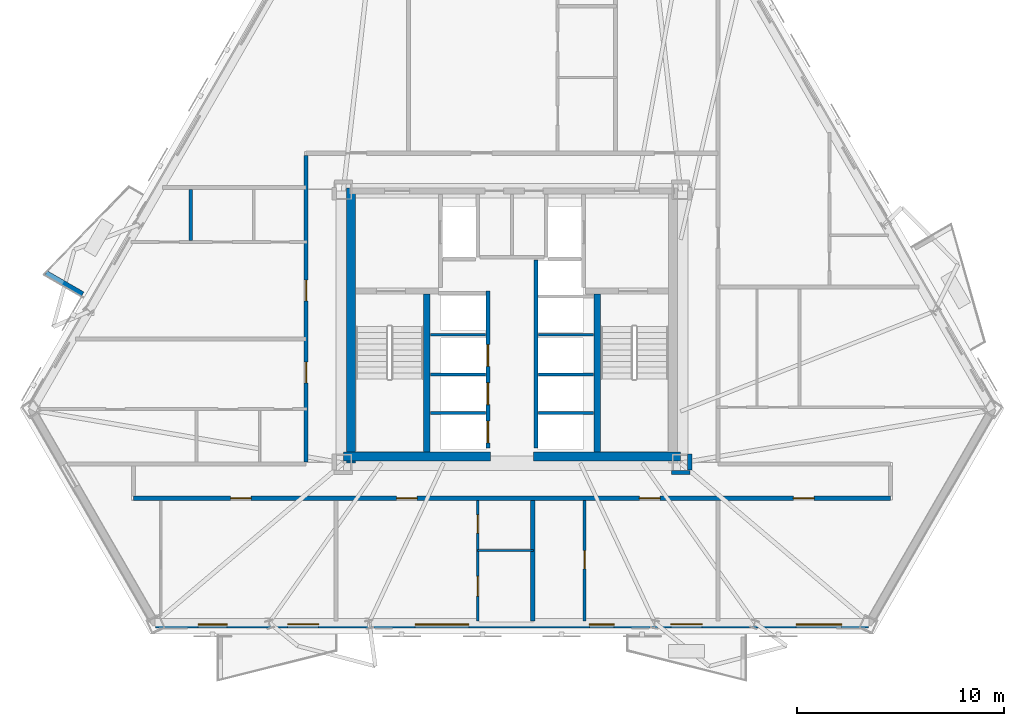
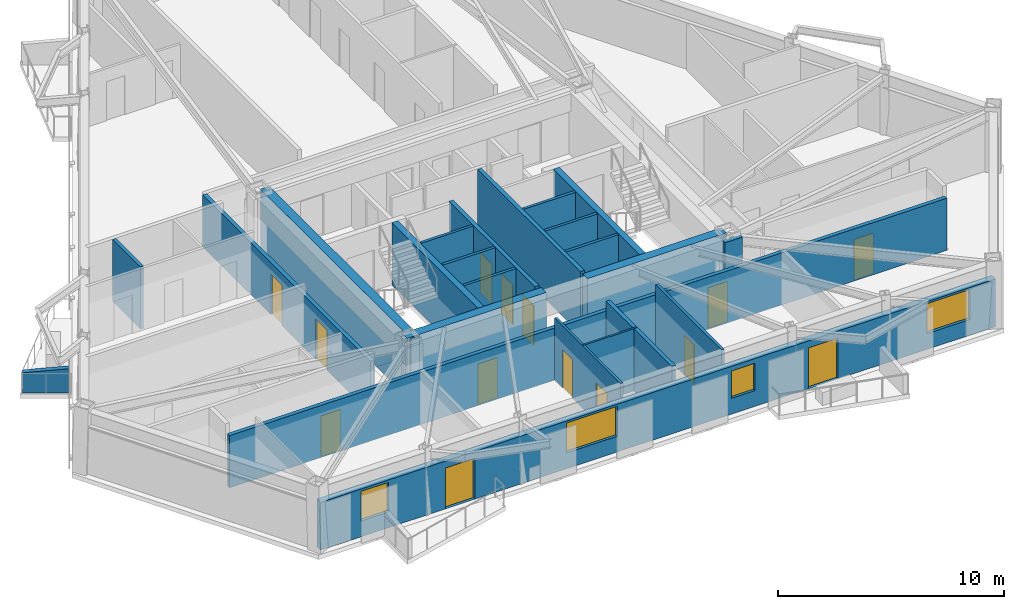
# One storey, part 3 of 10: 24 walls, 14 doors, 4 windows, 18 openings.
"""IFC4 building model written with IfcOpenShell, lengths in metres."""

import ifcopenshell
import ifcopenshell.guid

model = None  # the IFC model being written
_history = None  # IfcOwnerHistory: only IFC2X3 demands one
_inside = {}  # id of a spatial element -> (the spatial element, [elements in it])
_under = {}  # id of a project, library or spatial element -> (it, [spatial elements below it])
_declared = {}  # id of a project -> (the project, [libraries it declares])
_typed = {}  # id of a type object -> (the type object, [elements of that type])
_made_of = {}  # id of a material, layer set ... -> (it, [elements and type objects made of it])


def new_model(schema):
    """Start an empty IFC model of exactly this schema.

    Asked for "IFC4X3", IfcOpenShell would pick the latest addendum, in which some entities
    have other attributes; the version numbers below select the first issue.
    IFC2X3 requires an IfcOwnerHistory on every rooted entity: one is made here for all.
    """
    global model, _history
    if schema == "IFC4X3":
        model = ifcopenshell.file(schema_version=(4, 3, 0, 0))
    else:
        model = ifcopenshell.file(schema=schema)
    _inside.clear()
    _under.clear()
    _declared.clear()
    _typed.clear()
    _made_of.clear()
    _history = None
    if model.schema == "IFC2X3":
        org = make("IfcOrganization", Name="unknown")
        user = make(
            "IfcPersonAndOrganization",
            ThePerson=make("IfcPerson", FamilyName="unknown"),
            TheOrganization=org,
        )
        app = make(
            "IfcApplication",
            ApplicationDeveloper=org,
            Version="unknown",
            ApplicationFullName="unknown",
            ApplicationIdentifier="unknown",
        )
        _history = make(
            "IfcOwnerHistory",
            OwningUser=user,
            OwningApplication=app,
            ChangeAction="ADDED",
            CreationDate=0,
        )
    return model


def make(cls, **values):
    """One entity of the class cls with the attributes given. An attribute that is None is left unset."""
    return model.create_entity(
        cls, **{name: value for name, value in values.items() if value is not None}
    )


def rooted(cls, **values):
    """An entity with a GlobalId (a new one), such as an element, a storey or a relation."""
    return make(cls, GlobalId=ifcopenshell.guid.new(), OwnerHistory=_history, **values)


def si_unit(unit_type, name, prefix=None):
    """IfcSIUnit, for example si_unit("LENGTHUNIT", "METRE", prefix="MILLI")."""
    return make("IfcSIUnit", UnitType=unit_type, Prefix=prefix, Name=name)


def assignment(units):
    """IfcUnitAssignment: the units of a project."""
    return None if units is None else make("IfcUnitAssignment", Units=units)


def point(xyz):
    """IfcCartesianPoint."""
    return None if xyz is None else make("IfcCartesianPoint", Coordinates=xyz)


def direction(xyz):
    """IfcDirection."""
    return None if xyz is None else make("IfcDirection", DirectionRatios=xyz)


def frame(location, z_axis=None, x_axis=None):
    """IfcAxis2Placement3D, a coordinate frame: its origin and axes. An axis left out is left unset."""
    return make(
        "IfcAxis2Placement3D",
        Location=point(location),
        Axis=direction(z_axis),
        RefDirection=direction(x_axis),
    )


def frame_2d(location, x_axis=None):
    """IfcAxis2Placement2D, a coordinate frame in the plane: its origin and x axis."""
    return make(
        "IfcAxis2Placement2D", Location=point(location), RefDirection=direction(x_axis)
    )


def origin():
    """The frame at (0, 0, 0) with its axes left unset."""
    return frame((0.0, 0.0, 0.0))


def place(relative_to, where):
    """IfcLocalPlacement: puts the frame where relative to a parent placement (None: the world)."""
    return make(
        "IfcLocalPlacement", PlacementRelTo=relative_to, RelativePlacement=where
    )


def context(
    kind, dimensions, precision=None, world=None, true_north=None, identifier=None
):
    """IfcGeometricRepresentationContext, for example the 3D "Model" context."""
    return make(
        "IfcGeometricRepresentationContext",
        ContextIdentifier=identifier,
        ContextType=kind,
        CoordinateSpaceDimension=dimensions,
        Precision=precision,
        WorldCoordinateSystem=world,
        TrueNorth=true_north,
    )


def subcontext(parent, identifier, kind, view, scale=None):
    """IfcGeometricRepresentationSubContext, for example "Body" below "Model"."""
    return make(
        "IfcGeometricRepresentationSubContext",
        ContextIdentifier=identifier,
        ContextType=kind,
        ParentContext=parent,
        TargetScale=scale,
        TargetView=view,
    )


def project(units=None, contexts=None):
    """IfcProject with its units and contexts."""
    return rooted(
        "IfcProject",
        Name="project",
        RepresentationContexts=contexts,
        UnitsInContext=assignment(units),
    )


def spatial(cls, under=None, at=None, **own):
    """A site, building, storey or space (cls), placed at a placement, below another one or the project."""
    s = rooted(cls, ObjectPlacement=at, **own)
    if under is not None:
        _under.setdefault(under.id(), (under, []))[1].append(s)
    return s


def polyline(points):
    """IfcPolyline through the points."""
    return make("IfcPolyline", Points=[point(p) for p in points])


def profile(cls, at=None, kind="AREA", **sizes):
    """A parametric profile (cls). Its sizes go by their IFC names, for example OverallWidth=200.0."""
    return make(cls, ProfileType=kind, Position=at, **sizes)


def rectangle(**sizes):
    """IfcRectangleProfileDef."""
    return profile("IfcRectangleProfileDef", **sizes)


def outline(outer, holes=None, kind="AREA"):
    """IfcArbitraryClosedProfileDef: a profile drawn as a closed curve; with holes, ...WithVoids."""
    if holes is None:
        return make("IfcArbitraryClosedProfileDef", ProfileType=kind, OuterCurve=outer)
    return make(
        "IfcArbitraryProfileDefWithVoids",
        ProfileType=kind,
        OuterCurve=outer,
        InnerCurves=holes,
    )


def extrude(swept, where, along, depth):
    """IfcExtrudedAreaSolid: the profile swept, set in the frame where, extruded along a direction by depth."""
    return make(
        "IfcExtrudedAreaSolid",
        SweptArea=swept,
        Position=where,
        ExtrudedDirection=direction(along),
        Depth=depth,
    )


def shape(context_of_items, identifier, shape_type, items):
    """IfcShapeRepresentation: the items that make up one representation, for example the "Body"."""
    return make(
        "IfcShapeRepresentation",
        ContextOfItems=context_of_items,
        RepresentationIdentifier=identifier,
        RepresentationType=shape_type,
        Items=items,
    )


def material(Name=None, Category=None):
    """IfcMaterial."""
    return make("IfcMaterial", Name=Name, Category=Category)


def layer(
    of_material, thickness, ventilated=None, Name=None, Category=None, Priority=None
):
    """IfcMaterialLayer: one layer of a wall or slab, of a material (None: an air gap)."""
    return make(
        "IfcMaterialLayer",
        Material=of_material,
        LayerThickness=thickness,
        IsVentilated=ventilated,
        Name=Name,
        Category=Category,
        Priority=Priority,
    )


def layer_set(layers, Name=None):
    """IfcMaterialLayerSet."""
    return make("IfcMaterialLayerSet", MaterialLayers=layers, LayerSetName=Name)


def made_of(thing, what):
    """Note that an element or type object is made of a material, layer set ...; save() writes the relation."""
    if what is not None:
        _made_of.setdefault(what.id(), (what, []))[1].append(thing)
    return thing


def type_object(cls, material=None, **own):
    """A type object (cls), such as IfcWallType, which elements share."""
    return made_of(rooted(cls, **own), material)


def element(
    cls,
    number,
    at=None,
    inside=None,
    cuts=None,
    type_object=None,
    material=None,
    context=None,
    identifier="Body",
    shape_type=None,
    held_by="IfcProductDefinitionShape",
    body=None,
    shapes=None,
    **own,
):
    """One element of the class cls, such as IfcWall. Its Tag is "e" and its number.

    at: its placement. inside: the storey or other place that contains it. cuts: it is an
    opening in that element (IfcRelVoidsElement). A single representation is given by context,
    identifier, shape_type and body (its items); several are given by shapes. held_by: the class
    of the entity that holds the representations. save() writes the other relations.
    """
    e = rooted(cls, Tag="e%d" % number, ObjectPlacement=at, **own)
    if body is not None:
        shapes = [shape(context, identifier, shape_type, body)]
    if shapes is not None:
        e.Representation = make(held_by, Representations=shapes)
    if inside is not None:
        _inside.setdefault(inside.id(), (inside, []))[1].append(e)
    if cuts is not None:
        rooted(
            "IfcRelVoidsElement", RelatingBuildingElement=cuts, RelatedOpeningElement=e
        )
    if type_object is not None:
        _typed.setdefault(type_object.id(), (type_object, []))[1].append(e)
    return made_of(e, material)


def fill(opening, filler):
    """IfcRelFillsElement: the door or window that sits in an opening."""
    return rooted(
        "IfcRelFillsElement",
        RelatingOpeningElement=opening,
        RelatedBuildingElement=filler,
    )


def aggregate(whole, parts):
    """IfcRelAggregates: a whole, such as a stair, and the parts it consists of."""
    return rooted("IfcRelAggregates", RelatingObject=whole, RelatedObjects=parts)


def save(model, path):
    """Write the relations noted so far, then the file.

    IfcRelAggregates (storeys below a building ...), IfcRelContainedInSpatialStructure (elements
    in a storey), IfcRelDefinesByType, IfcRelAssociatesMaterial and IfcRelDeclares: one each for
    every whole, place, type object, material and project.
    """
    for whole, parts in _under.values():
        aggregate(whole, parts)
    for where, things in _inside.values():
        rooted(
            "IfcRelContainedInSpatialStructure",
            RelatedElements=things,
            RelatingStructure=where,
        )
    for kind, things in _typed.values():
        rooted("IfcRelDefinesByType", RelatedObjects=things, RelatingType=kind)
    for what, things in _made_of.values():
        rooted("IfcRelAssociatesMaterial", RelatedObjects=things, RelatingMaterial=what)
    for by, libraries in _declared.values():
        rooted("IfcRelDeclares", RelatingContext=by, RelatedDefinitions=libraries)
    model.write(path)


model = new_model("IFC4")

# Units and contexts
model_context = context("Model", 3, precision=1e-05, world=origin(), true_north=direction((0.0, 1.0)))
body_context = subcontext(model_context, "Body", "Model", "MODEL_VIEW")
ifc_project = project(units=[si_unit("LENGTHUNIT", "METRE"), si_unit("AREAUNIT", "SQUARE_METRE"), si_unit("VOLUMEUNIT", "CUBIC_METRE"), si_unit("PLANEANGLEUNIT", "RADIAN"), si_unit("MASSUNIT", "GRAM", prefix="KILO")], contexts=[model_context])

# Site, building, storey
site_placement = place(None, origin())
site = spatial("IfcSite", under=ifc_project, at=site_placement, CompositionType="ELEMENT")
building_placement = place(site_placement, origin())
building = spatial("IfcBuilding", under=site, at=building_placement, Name="Oramaril Tower", CompositionType="ELEMENT")
storey_placement = place(building_placement, frame((0.0, 0.0, 96.89990234375)))
storey = spatial("IfcBuildingStorey", under=building, at=storey_placement, Name="L25", CompositionType="ELEMENT", Elevation=96.89990234375)

# Wall, openings, doors, windows
ifc_material_1 = material(Name="Warm Cream Limestone", Category="masonry")
ifc_layer_1 = layer(ifc_material_1, 0.340087890625)
ifc_layer_set_1 = layer_set([ifc_layer_1], Name="WT-EXT34")
wall_type_1 = type_object("IfcWallType", Name="WT-EXT34", PredefinedType="SOLIDWALL", material=ifc_layer_set_1)
wall_1_placement = place(storey_placement, frame((20.281494140625, 3.198486328125, 0.0), z_axis=(0.0, 0.0, 1.0), x_axis=(1.0, 0.0, 0.0)))
wall_1 = element("IfcWall", 1, at=wall_1_placement, inside=storey, type_object=wall_type_1, Name="L25 Tower Limestone Facade Wall 2M", PredefinedType="SOLIDWALL", context=body_context, shape_type="SweptSolid", body=[
    extrude(rectangle(XDim=34.43701171875, YDim=0.340087890625, at=frame_2d((17.218505859375, 0.0))), origin(), (0.0, 0.0, 1.0), 2.578125),
])
opening_1_placement = place(wall_1_placement, frame((6.369384765625, 0.0, 0.0)))
opening_1 = element("IfcOpeningElement", 2, at=opening_1_placement, cuts=wall_1, Name="Opening D-L25-BAL-S1", PredefinedType="OPENING", context=body_context, shape_type="SweptSolid", body=[
    extrude(rectangle(XDim=1.5, YDim=2.199951171875, at=frame_2d((0.75, 1.10009765625))), frame((0.0, 0.169921875, 0.0), z_axis=(0.0, -1.0, 0.0), x_axis=(1.0, 0.0, 0.0)), (0.0, 0.0, 1.0), 0.340087890625),
])
opening_2_placement = place(wall_1_placement, frame((24.902587890625, 0.0, 0.0)))
opening_2 = element("IfcOpeningElement", 3, at=opening_2_placement, cuts=wall_1, Name="Opening D-L25-BAL-S2", PredefinedType="OPENING", context=body_context, shape_type="SweptSolid", body=[
    extrude(rectangle(XDim=1.5, YDim=2.199951171875, at=frame_2d((0.75, 1.10009765625))), frame((0.0, 0.169921875, 0.0), z_axis=(0.0, -1.0, 0.0), x_axis=(1.0, 0.0, 0.0)), (0.0, 0.0, 1.0), 0.340087890625),
])
opening_3_placement = place(wall_1_placement, frame((2.05517578125, 0.0, 0.85009765625)))
opening_3 = element("IfcOpeningElement", 4, at=opening_3_placement, cuts=wall_1, Name="Opening WN-08", PredefinedType="OPENING", context=body_context, shape_type="SweptSolid", body=[
    extrude(rectangle(XDim=1.39990234375, YDim=1.60009765625, at=frame_2d((0.699951171875, 0.800048828125))), frame((0.0, 0.169921875, 0.0), z_axis=(0.0, -1.0, 0.0), x_axis=(1.0, 0.0, 0.0)), (0.0, 0.0, 1.0), 0.340087890625),
])
opening_4_placement = place(wall_1_placement, frame((12.53564453125, 0.0, 0.85009765625)))
opening_4 = element("IfcOpeningElement", 5, at=opening_4_placement, cuts=wall_1, Name="Opening WN-02", PredefinedType="OPENING", context=body_context, shape_type="SweptSolid", body=[
    extrude(rectangle(XDim=2.60009765625, YDim=1.617919921875, at=frame_2d((1.300048828125, 0.80908203125))), frame((0.0, 0.169921875, 0.0), z_axis=(0.0, -1.0, 0.0), x_axis=(1.0, 0.0, 0.0)), (0.0, 0.0, 1.0), 0.340087890625),
])
opening_5_placement = place(wall_1_placement, frame((20.95947265625, 0.0, 0.85009765625)))
opening_5 = element("IfcOpeningElement", 6, at=opening_5_placement, cuts=wall_1, Name="Opening WN-09", PredefinedType="OPENING", context=body_context, shape_type="SweptSolid", body=[
    extrude(rectangle(XDim=1.199951171875, YDim=1.47998046875, at=frame_2d((0.60009765625, 0.739990234375))), frame((0.0, 0.169921875, 0.0), z_axis=(0.0, -1.0, 0.0), x_axis=(1.0, 0.0, 0.0)), (0.0, 0.0, 1.0), 0.340087890625),
])
opening_6_placement = place(wall_1_placement, frame((30.9443359375, 0.0, 0.85009765625)))
opening_6 = element("IfcOpeningElement", 7, at=opening_6_placement, cuts=wall_1, Name="Opening WN-04", PredefinedType="OPENING", context=body_context, shape_type="SweptSolid", body=[
    extrude(rectangle(XDim=2.199951171875, YDim=1.617919921875, at=frame_2d((1.10009765625, 0.80908203125))), frame((0.0, 0.169921875, 0.0), z_axis=(0.0, -1.0, 0.0), x_axis=(1.0, 0.0, 0.0)), (0.0, 0.0, 1.0), 0.340087890625),
])
ifc_material_2 = material(Name="Anodised Aluminium 6063-T6", Category="aluminium")
door_type_1 = type_object("IfcDoorType", Name="DT-BAL", OperationType="NOTDEFINED", PredefinedType="DOOR", material=ifc_material_2)
door_1_placement = place(opening_1_placement, origin())
door_1 = element("IfcDoor", 8, at=door_1_placement, inside=storey, type_object=door_type_1, Name="L25 Balcony Glazed Door L25-BAL-S1", OperationType="SINGLE_SWING_RIGHT", OverallHeight=2.199951171875, OverallWidth=1.5, PredefinedType="DOOR", context=body_context, shape_type="SweptSolid", body=[
    extrude(rectangle(XDim=1.5, YDim=2.199951171875, at=frame_2d((0.75, 1.10009765625))), frame((0.0, 0.02490234375, 0.0), z_axis=(0.0, -1.0, 0.0), x_axis=(1.0, 0.0, 0.0)), (0.0, 0.0, 1.0), 0.050048828125),
])
fill(opening_1, door_1)
door_2_placement = place(opening_2_placement, origin())
door_2 = element("IfcDoor", 9, at=door_2_placement, inside=storey, type_object=door_type_1, Name="L25 Balcony Glazed Door L25-BAL-S2", OperationType="SINGLE_SWING_LEFT", OverallHeight=2.199951171875, OverallWidth=1.5, PredefinedType="DOOR", context=body_context, shape_type="SweptSolid", body=[
    extrude(rectangle(XDim=1.5, YDim=2.199951171875, at=frame_2d((0.75, 1.10009765625))), frame((0.0, 0.02490234375, 0.0), z_axis=(0.0, -1.0, 0.0), x_axis=(1.0, 0.0, 0.0)), (0.0, 0.0, 1.0), 0.050048828125),
])
fill(opening_2, door_2)
ifc_material_3 = material(Name="Coastal Low-E Insulated Glass", Category="glass")
window_type_1 = type_object("IfcWindowType", Name="WNT-02", PartitioningType="SINGLE_PANEL", PredefinedType="WINDOW", material=ifc_material_3)
window_1_placement = place(opening_4_placement, origin())
window_1 = element("IfcWindow", 10, at=window_1_placement, inside=storey, type_object=window_type_1, Name="L25 Chicago Bay Window WN-02", OverallHeight=1.617919921875, OverallWidth=2.60009765625, PartitioningType="SINGLE_PANEL", PredefinedType="WINDOW", context=body_context, shape_type="SweptSolid", body=[
    extrude(rectangle(XDim=2.60009765625, YDim=1.617919921875, at=frame_2d((1.300048828125, 0.80908203125))), frame((0.0, 0.030029296875, 0.0), z_axis=(0.0, -1.0, 0.0), x_axis=(1.0, 0.0, 0.0)), (0.0, 0.0, 1.0), 0.06005859375),
])
fill(opening_4, window_1)
ifc_material_4 = material(Name="Coastal Low-E Insulated Glass", Category="glass")
window_type_2 = type_object("IfcWindowType", Name="WNT-04", PartitioningType="SINGLE_PANEL", PredefinedType="WINDOW", material=ifc_material_4)
window_2_placement = place(opening_6_placement, origin())
window_2 = element("IfcWindow", 11, at=window_2_placement, inside=storey, type_object=window_type_2, Name="L25 Chicago Bay Window WN-04", OverallHeight=1.617919921875, OverallWidth=2.199951171875, PartitioningType="SINGLE_PANEL", PredefinedType="WINDOW", context=body_context, shape_type="SweptSolid", body=[
    extrude(rectangle(XDim=2.199951171875, YDim=1.617919921875, at=frame_2d((1.10009765625, 0.80908203125))), frame((0.0, 0.030029296875, 0.0), z_axis=(0.0, -1.0, 0.0), x_axis=(1.0, 0.0, 0.0)), (0.0, 0.0, 1.0), 0.06005859375),
])
fill(opening_6, window_2)
ifc_material_5 = material(Name="Coastal Low-E Insulated Glass", Category="glass")
window_type_3 = type_object("IfcWindowType", Name="WNT-08", PartitioningType="SINGLE_PANEL", PredefinedType="WINDOW", material=ifc_material_5)
window_3_placement = place(opening_3_placement, origin())
window_3 = element("IfcWindow", 12, at=window_3_placement, inside=storey, type_object=window_type_3, Name="L25 Chicago Bay Window WN-08", OverallHeight=1.60009765625, OverallWidth=1.39990234375, PartitioningType="SINGLE_PANEL", PredefinedType="WINDOW", context=body_context, shape_type="SweptSolid", body=[
    extrude(rectangle(XDim=1.39990234375, YDim=1.60009765625, at=frame_2d((0.699951171875, 0.800048828125))), frame((0.0, 0.030029296875, 0.0), z_axis=(0.0, -1.0, 0.0), x_axis=(1.0, 0.0, 0.0)), (0.0, 0.0, 1.0), 0.06005859375),
])
fill(opening_3, window_3)
ifc_material_6 = material(Name="Coastal Low-E Insulated Glass", Category="glass")
window_type_4 = type_object("IfcWindowType", Name="WNT-09", PartitioningType="SINGLE_PANEL", PredefinedType="WINDOW", material=ifc_material_6)
window_4_placement = place(opening_5_placement, origin())
window_4 = element("IfcWindow", 13, at=window_4_placement, inside=storey, type_object=window_type_4, Name="L25 Chicago Bay Window WN-09", OverallHeight=1.47998046875, OverallWidth=1.199951171875, PartitioningType="SINGLE_PANEL", PredefinedType="WINDOW", context=body_context, shape_type="SweptSolid", body=[
    extrude(rectangle(XDim=1.199951171875, YDim=1.47998046875, at=frame_2d((0.60009765625, 0.739990234375))), frame((0.0, 0.030029296875, 0.0), z_axis=(0.0, -1.0, 0.0), x_axis=(1.0, 0.0, 0.0)), (0.0, 0.0, 1.0), 0.06005859375),
])
fill(opening_5, window_4)

# Walls
ifc_material_7 = material(Name="Concrete C40/50", Category="concrete")
ifc_layer_2 = layer(ifc_material_7, 0.22998046875)
ifc_layer_set_2 = layer_set([ifc_layer_2], Name="WT-PRP23")
wall_type_2 = type_object("IfcWallType", Name="WT-PRP23", PredefinedType="PARAPET", material=ifc_layer_set_2)
wall_2_placement = place(storey_placement, frame((16.755615234375, 19.16845703125, 0.0), z_axis=(0.0, 0.0, 1.0), x_axis=(-0.866012356593, 0.500022597718, 0.0)))
element("IfcWall", 14, at=wall_2_placement, inside=storey, type_object=wall_type_2, Name="L25 Trapezoidal Balcony Frame Cheek L25-BAL-NW2-R", PredefinedType="PARAPET", context=body_context, shape_type="SweptSolid", body=[
    extrude(outline(polyline([(0.0, 0.0), (2.0419921875, 0.0), (2.0419921875, 1.10009765625), (0.0, 1.320068359375), (0.0, 0.0)])), frame((0.0, 0.114990234375, 0.0), z_axis=(0.0, -1.0, 0.0), x_axis=(1.0, 0.0, 0.0)), (0.0, 0.0, 1.0), 0.22998046875),
])
ifc_material_8 = material(Name="Acoustic Gypsum Board Partition")
ifc_layer_3 = layer(ifc_material_8, 0.10009765625)
ifc_layer_set_3 = layer_set([ifc_layer_3], Name="WT-PT10")
wall_type_3 = type_object("IfcWallType", Name="WT-PT10", PredefinedType="PARTITIONING", material=ifc_layer_set_3)
wall_3_placement = place(storey_placement, frame((35.840087890625, 6.780029296875, 0.0), z_axis=(0.0, 0.0, 1.0), x_axis=(1.0, 0.0, 0.0)))
element("IfcWall", 15, at=wall_3_placement, inside=storey, type_object=wall_type_3, Name="L25 Interior Partition PT-10", PredefinedType="PARTITIONING", context=body_context, shape_type="SweptSolid", body=[
    extrude(rectangle(XDim=2.7099609375, YDim=0.10009765625, at=frame_2d((1.35498046875, 0.0))), origin(), (0.0, 0.0, 1.0), 3.360107421875),
])

# Wall, openings, doors
ifc_material_9 = material(Name="Acoustic Gypsum Board Partition")
ifc_layer_4 = layer(ifc_material_9, 0.1201171875)
ifc_layer_set_4 = layer_set([ifc_layer_4], Name="WT-PT12")
wall_type_4 = type_object("IfcWallType", Name="WT-PT12", PredefinedType="PARTITIONING", material=ifc_layer_set_4)
wall_4_placement = place(storey_placement, frame((35.840087890625, 3.37255859375, 0.0), z_axis=(0.0, 0.0, 1.0), x_axis=(0.0, 1.0, 0.0)))
wall_4 = element("IfcWall", 16, at=wall_4_placement, inside=storey, type_object=wall_type_4, Name="L25 Interior Partition PT-12", PredefinedType="PARTITIONING", context=body_context, shape_type="SweptSolid", body=[
    extrude(rectangle(XDim=5.823486328125, YDim=0.1201171875, at=frame_2d((2.91162109375, 0.0))), origin(), (0.0, 0.0, 1.0), 3.360107421875),
])
opening_7_placement = place(wall_4_placement, frame((1.20166015625, 0.0, 0.0)))
opening_7 = element("IfcOpeningElement", 17, at=opening_7_placement, cuts=wall_4, Name="Opening D-L25-23", PredefinedType="OPENING", context=body_context, shape_type="SweptSolid", body=[
    extrude(rectangle(XDim=0.949951171875, YDim=2.10009765625, at=frame_2d((0.47509765625, 1.050048828125))), frame((0.0, 0.06005859375, 0.0), z_axis=(0.0, -1.0, 0.0), x_axis=(1.0, 0.0, 0.0)), (0.0, 0.0, 1.0), 0.1201171875),
])
opening_8_placement = place(wall_4_placement, frame((4.242431640625, 0.0, 0.0)))
opening_8 = element("IfcOpeningElement", 18, at=opening_8_placement, cuts=wall_4, Name="Opening D-L25-24", PredefinedType="OPENING", context=body_context, shape_type="SweptSolid", body=[
    extrude(rectangle(XDim=0.8798828125, YDim=2.080078125, at=frame_2d((0.43994140625, 1.0400390625))), frame((0.0, 0.06005859375, 0.0), z_axis=(0.0, -1.0, 0.0), x_axis=(1.0, 0.0, 0.0)), (0.0, 0.0, 1.0), 0.1201171875),
])
ifc_material_10 = material(Name="FSC Brazilian Freijo Hardwood", Category="wood")
door_type_2 = type_object("IfcDoorType", Name="DT-BATH", OperationType="NOTDEFINED", PredefinedType="DOOR", material=ifc_material_10)
door_3_placement = place(opening_8_placement, origin())
door_3 = element("IfcDoor", 19, at=door_3_placement, inside=storey, type_object=door_type_2, Name="L25 Flat L25-U2 Bathroom Door D-L25-24", OperationType="SINGLE_SWING_RIGHT", OverallHeight=2.080078125, OverallWidth=0.8798828125, PredefinedType="DOOR", context=body_context, shape_type="SweptSolid", body=[
    extrude(rectangle(XDim=0.8798828125, YDim=2.080078125, at=frame_2d((0.43994140625, 1.0400390625))), frame((0.0, 0.02490234375, 0.0), z_axis=(0.0, -1.0, 0.0), x_axis=(1.0, 0.0, 0.0)), (0.0, 0.0, 1.0), 0.050048828125),
])
fill(opening_8, door_3)
ifc_material_11 = material(Name="FSC Brazilian Freijo Hardwood", Category="wood")
door_type_3 = type_object("IfcDoorType", Name="DT-STDY", OperationType="NOTDEFINED", PredefinedType="DOOR", material=ifc_material_11)
door_4_placement = place(opening_7_placement, origin())
door_4 = element("IfcDoor", 20, at=door_4_placement, inside=storey, type_object=door_type_3, Name="L25 Flat L25-U2 Kitchen Door D-L25-23", OperationType="SINGLE_SWING_LEFT", OverallHeight=2.10009765625, OverallWidth=0.949951171875, PredefinedType="DOOR", context=body_context, shape_type="SweptSolid", body=[
    extrude(rectangle(XDim=0.949951171875, YDim=2.10009765625, at=frame_2d((0.47509765625, 1.050048828125))), frame((0.0, 0.02490234375, 0.0), z_axis=(0.0, -1.0, 0.0), x_axis=(1.0, 0.0, 0.0)), (0.0, 0.0, 1.0), 0.050048828125),
])
fill(opening_7, door_4)

# Walls
ifc_material_12 = material(Name="Acoustic Gypsum Board Partition")
ifc_layer_5 = layer(ifc_material_12, 0.139892578125)
ifc_layer_set_5 = layer_set([ifc_layer_5], Name="WT-PT14")
wall_type_5 = type_object("IfcWallType", Name="WT-PT14", PredefinedType="PARTITIONING", material=ifc_layer_set_5)
for number, where, z_axis, x_axis, name in (
    (21, (33.56005859375, 13.419921875, 0.0), (0.0, 0.0, 1.0), (1.0, 0.0, 0.0), "L25 West Lift Divider"),
    (22, (33.56005859375, 15.27001953125, 0.0), (0.0, 0.0, 1.0), (1.0, 0.0, 0.0), "L25 West Lift Divider"),
    (23, (33.56005859375, 17.199951171875, 0.0), (0.0, 0.0, 1.0), (1.0, 0.0, 0.0), "L25 West Lift Divider"),
    (24, (38.780029296875, 13.419921875, 0.0), (0.0, 0.0, 1.0), (1.0, 0.0, 0.0), "L25 East Lift Divider"),
    (25, (38.780029296875, 15.27001953125, 0.0), (0.0, 0.0, 1.0), (1.0, 0.0, 0.0), "L25 East Lift Divider"),
    (26, (38.780029296875, 17.199951171875, 0.0), (0.0, 0.0, 1.0), (1.0, 0.0, 0.0), "L25 East Lift Divider"),
):
    element("IfcWall", number, at=place(storey_placement, frame(where, z_axis=z_axis, x_axis=x_axis)), inside=storey, type_object=wall_type_5, Name=name, PredefinedType="PARTITIONING", context=body_context, shape_type="SweptSolid", body=[
        extrude(rectangle(XDim=2.659912109375, YDim=0.139892578125, at=frame_2d((1.330078125, 0.0))), origin(), (0.0, 0.0, 1.0), 3.360107421875),
    ])

# Wall, opening, door
wall_5_placement = place(storey_placement, frame((41.010009765625, 3.37255859375, 0.0), z_axis=(0.0, 0.0, 1.0), x_axis=(0.0, 1.0, 0.0)))
wall_5 = element("IfcWall", 27, at=wall_5_placement, inside=storey, type_object=wall_type_5, Name="L25 Interior Partition PT-14", PredefinedType="PARTITIONING", context=body_context, shape_type="SweptSolid", body=[
    extrude(rectangle(XDim=5.823486328125, YDim=0.139892578125, at=frame_2d((2.91162109375, 0.0))), origin(), (0.0, 0.0, 1.0), 3.360107421875),
])
opening_9_placement = place(wall_5_placement, frame((2.51171875, 0.0, 0.0)))
opening_9 = element("IfcOpeningElement", 28, at=opening_9_placement, cuts=wall_5, Name="Opening D-L25-31", PredefinedType="OPENING", context=body_context, shape_type="SweptSolid", body=[
    extrude(rectangle(XDim=0.8798828125, YDim=2.080078125, at=frame_2d((0.43994140625, 1.0400390625))), frame((0.0, 0.06982421875, 0.0), z_axis=(0.0, -1.0, 0.0), x_axis=(1.0, 0.0, 0.0)), (0.0, 0.0, 1.0), 0.139892578125),
])
door_5_placement = place(opening_9_placement, origin())
door_5 = element("IfcDoor", 29, at=door_5_placement, inside=storey, type_object=door_type_2, Name="L25 Flat L25-U3 Bathroom Door D-L25-31", OperationType="SINGLE_SWING_LEFT", OverallHeight=2.080078125, OverallWidth=0.8798828125, PredefinedType="DOOR", context=body_context, shape_type="SweptSolid", body=[
    extrude(rectangle(XDim=0.8798828125, YDim=2.080078125, at=frame_2d((0.43994140625, 1.0400390625))), frame((0.0, 0.02490234375, 0.0), z_axis=(0.0, -1.0, 0.0), x_axis=(1.0, 0.0, 0.0)), (0.0, 0.0, 1.0), 0.050048828125),
])
fill(opening_9, door_5)

# Wall
ifc_material_13 = material(Name="Acoustic Gypsum Board Partition")
ifc_layer_6 = layer(ifc_material_13, 0.159912109375)
ifc_layer_set_6 = layer_set([ifc_layer_6], Name="WT-PT16")
wall_type_6 = type_object("IfcWallType", Name="WT-PT16", PredefinedType="PARTITIONING", material=ifc_layer_set_6)
wall_6_placement = place(storey_placement, frame((21.97998046875, 21.75390625, 0.0), z_axis=(0.0, 0.0, 1.0), x_axis=(0.0, 1.0, 0.0)))
element("IfcWall", 30, at=wall_6_placement, inside=storey, type_object=wall_type_6, Name="L25 Interior Partition PT-16", PredefinedType="PARTITIONING", context=body_context, shape_type="SweptSolid", body=[
    extrude(rectangle(XDim=2.462158203125, YDim=0.159912109375, at=frame_2d((1.23095703125, 0.0))), origin(), (0.0, 0.0, 1.0), 3.360107421875),
])

# Wall, openings, doors
ifc_material_14 = material(Name="Autoclaved Cellular Concrete Block", Category="concrete")
ifc_layer_7 = layer(ifc_material_14, 0.199951171875)
ifc_layer_set_7 = layer_set([ifc_layer_7], Name="WT-PT20")
wall_type_7 = type_object("IfcWallType", Name="WT-PT20", PredefinedType="PARTITIONING", material=ifc_layer_set_7)
wall_7_placement = place(storey_placement, frame((19.199951171875, 9.300048828125, 0.0), z_axis=(0.0, 0.0, 1.0), x_axis=(1.0, 0.0, 0.0)))
wall_7 = element("IfcWall", 31, at=wall_7_placement, inside=storey, type_object=wall_type_7, Name="L25 Interior Partition PT-20", PredefinedType="PARTITIONING", context=body_context, shape_type="SweptSolid", body=[
    extrude(rectangle(XDim=36.60009765625, YDim=0.199951171875, at=frame_2d((18.300048828125, 0.0))), origin(), (0.0, 0.0, 1.0), 2.814208984375),
])
opening_10_placement = place(wall_7_placement, frame((4.697509765625, 0.0, 0.0)))
opening_10 = element("IfcOpeningElement", 32, at=opening_10_placement, cuts=wall_7, Name="Opening D-L25-01", PredefinedType="OPENING", context=body_context, shape_type="SweptSolid", body=[
    extrude(rectangle(XDim=1.0, YDim=2.179931640625, at=frame_2d((0.5, 1.08984375))), frame((0.0, 0.10009765625, 0.0), z_axis=(0.0, -1.0, 0.0), x_axis=(1.0, 0.0, 0.0)), (0.0, 0.0, 1.0), 0.199951171875),
])
opening_11_placement = place(wall_7_placement, frame((12.719970703125, 0.0, 0.0)))
opening_11 = element("IfcOpeningElement", 33, at=opening_11_placement, cuts=wall_7, Name="Opening D-L25-02", PredefinedType="OPENING", context=body_context, shape_type="SweptSolid", body=[
    extrude(rectangle(XDim=1.0, YDim=2.179931640625, at=frame_2d((0.5, 1.08984375))), frame((0.0, 0.10009765625, 0.0), z_axis=(0.0, -1.0, 0.0), x_axis=(1.0, 0.0, 0.0)), (0.0, 0.0, 1.0), 0.199951171875),
])
opening_12_placement = place(wall_7_placement, frame((24.452880859375, 0.0, 0.0)))
opening_12 = element("IfcOpeningElement", 34, at=opening_12_placement, cuts=wall_7, Name="Opening D-L25-03", PredefinedType="OPENING", context=body_context, shape_type="SweptSolid", body=[
    extrude(rectangle(XDim=1.0, YDim=2.179931640625, at=frame_2d((0.5, 1.08984375))), frame((0.0, 0.10009765625, 0.0), z_axis=(0.0, -1.0, 0.0), x_axis=(1.0, 0.0, 0.0)), (0.0, 0.0, 1.0), 0.199951171875),
])
opening_13_placement = place(wall_7_placement, frame((31.904052734375, 0.0, 0.0)))
opening_13 = element("IfcOpeningElement", 35, at=opening_13_placement, cuts=wall_7, Name="Opening D-L25-04", PredefinedType="OPENING", context=body_context, shape_type="SweptSolid", body=[
    extrude(rectangle(XDim=1.0, YDim=2.179931640625, at=frame_2d((0.5, 1.08984375))), frame((0.0, 0.10009765625, 0.0), z_axis=(0.0, -1.0, 0.0), x_axis=(1.0, 0.0, 0.0)), (0.0, 0.0, 1.0), 0.199951171875),
])
ifc_material_15 = material(Name="FSC Brazilian Freijo Hardwood", Category="wood")
door_type_4 = type_object("IfcDoorType", Name="DT-APT", OperationType="NOTDEFINED", PredefinedType="DOOR", material=ifc_material_15)
door_6_placement = place(opening_10_placement, origin())
door_6 = element("IfcDoor", 36, at=door_6_placement, inside=storey, type_object=door_type_4, Name="L25 Flat L25-U1 Kitchen and Studio Apartment Door D-L25-01", OperationType="SINGLE_SWING_LEFT", OverallHeight=2.179931640625, OverallWidth=1.0, PredefinedType="DOOR", context=body_context, shape_type="SweptSolid", body=[
    extrude(rectangle(XDim=1.0, YDim=2.179931640625, at=frame_2d((0.5, 1.08984375))), frame((0.0, 0.02490234375, 0.0), z_axis=(0.0, -1.0, 0.0), x_axis=(1.0, 0.0, 0.0)), (0.0, 0.0, 1.0), 0.050048828125),
])
fill(opening_10, door_6)
door_7_placement = place(opening_11_placement, origin())
door_7 = element("IfcDoor", 37, at=door_7_placement, inside=storey, type_object=door_type_4, Name="L25 Flat L25-U2 Studio Apartment Door D-L25-02", OperationType="SINGLE_SWING_RIGHT", OverallHeight=2.179931640625, OverallWidth=1.0, PredefinedType="DOOR", context=body_context, shape_type="SweptSolid", body=[
    extrude(rectangle(XDim=1.0, YDim=2.179931640625, at=frame_2d((0.5, 1.08984375))), frame((0.0, 0.02490234375, 0.0), z_axis=(0.0, -1.0, 0.0), x_axis=(1.0, 0.0, 0.0)), (0.0, 0.0, 1.0), 0.050048828125),
])
fill(opening_11, door_7)
door_8_placement = place(opening_12_placement, origin())
door_8 = element("IfcDoor", 38, at=door_8_placement, inside=storey, type_object=door_type_4, Name="L25 Flat L25-U3 Kitchen and Studio Apartment Door D-L25-03", OperationType="SINGLE_SWING_LEFT", OverallHeight=2.179931640625, OverallWidth=1.0, PredefinedType="DOOR", context=body_context, shape_type="SweptSolid", body=[
    extrude(rectangle(XDim=1.0, YDim=2.179931640625, at=frame_2d((0.5, 1.08984375))), frame((0.0, 0.02490234375, 0.0), z_axis=(0.0, -1.0, 0.0), x_axis=(1.0, 0.0, 0.0)), (0.0, 0.0, 1.0), 0.050048828125),
])
fill(opening_12, door_8)
door_9_placement = place(opening_13_placement, origin())
door_9 = element("IfcDoor", 39, at=door_9_placement, inside=storey, type_object=door_type_4, Name="L25 Flat L25-U6 Penthouse Living and Dining Room Door D-L25-04", OperationType="SINGLE_SWING_RIGHT", OverallHeight=2.179931640625, OverallWidth=1.0, PredefinedType="DOOR", context=body_context, shape_type="SweptSolid", body=[
    extrude(rectangle(XDim=1.0, YDim=2.179931640625, at=frame_2d((0.5, 1.08984375))), frame((0.0, 0.02490234375, 0.0), z_axis=(0.0, -1.0, 0.0), x_axis=(1.0, 0.0, 0.0)), (0.0, 0.0, 1.0), 0.050048828125),
])
fill(opening_13, door_9)

# Wall
wall_8_placement = place(storey_placement, frame((45.205078125, 10.550048828125, 0.0), z_axis=(0.0, 0.0, 1.0), x_axis=(1.0, 0.0, 0.0)))
element("IfcWall", 40, at=wall_8_placement, inside=storey, type_object=wall_type_7, Name="L25 Interior Partition PT-20", PredefinedType="PARTITIONING", context=body_context, shape_type="SweptSolid", body=[
    extrude(rectangle(XDim=0.889892578125, YDim=0.199951171875, at=frame_2d((0.44482421875, 0.0))), origin(), (0.0, 0.0, 1.0), 3.360107421875),
])

# Wall, openings, doors
wall_9_placement = place(storey_placement, frame((27.550048828125, 11.053955078125, 0.0), z_axis=(0.0, 0.0, 1.0), x_axis=(0.0, 1.0, 0.0)))
wall_9 = element("IfcWall", 41, at=wall_9_placement, inside=storey, type_object=wall_type_7, Name="L25 Interior Partition PT-20", PredefinedType="PARTITIONING", context=body_context, shape_type="SweptSolid", body=[
    extrude(rectangle(XDim=14.81201171875, YDim=0.199951171875, at=frame_2d((7.406005859375, 0.0))), origin(), (0.0, 0.0, 1.0), 2.814208984375),
])
opening_14_placement = place(wall_9_placement, frame((3.8251953125, 0.0, 0.0)))
opening_14 = element("IfcOpeningElement", 42, at=opening_14_placement, cuts=wall_9, Name="Opening D-L25-21", PredefinedType="OPENING", context=body_context, shape_type="SweptSolid", body=[
    extrude(rectangle(XDim=1.0, YDim=2.179931640625, at=frame_2d((0.5, 1.08984375))), frame((0.0, 0.10009765625, 0.0), z_axis=(0.0, -1.0, 0.0), x_axis=(1.0, 0.0, 0.0)), (0.0, 0.0, 1.0), 0.199951171875),
])
opening_15_placement = place(wall_9_placement, frame((7.788330078125, 0.0, 0.0)))
opening_15 = element("IfcOpeningElement", 43, at=opening_15_placement, cuts=wall_9, Name="Opening D-L25-22", PredefinedType="OPENING", context=body_context, shape_type="SweptSolid", body=[
    extrude(rectangle(XDim=1.0, YDim=2.179931640625, at=frame_2d((0.5, 1.08984375))), frame((0.0, 0.10009765625, 0.0), z_axis=(0.0, -1.0, 0.0), x_axis=(1.0, 0.0, 0.0)), (0.0, 0.0, 1.0), 0.199951171875),
])
door_10_placement = place(opening_14_placement, origin())
door_10 = element("IfcDoor", 44, at=door_10_placement, inside=storey, type_object=door_type_4, Name="L25 Flat L25-U4 Living and Dining Room Door D-L25-21", OperationType="SINGLE_SWING_LEFT", OverallHeight=2.179931640625, OverallWidth=1.0, PredefinedType="DOOR", context=body_context, shape_type="SweptSolid", body=[
    extrude(rectangle(XDim=1.0, YDim=2.179931640625, at=frame_2d((0.5, 1.08984375))), frame((0.0, 0.02490234375, 0.0), z_axis=(0.0, -1.0, 0.0), x_axis=(1.0, 0.0, 0.0)), (0.0, 0.0, 1.0), 0.050048828125),
])
fill(opening_14, door_10)
door_11_placement = place(opening_15_placement, origin())
door_11 = element("IfcDoor", 45, at=door_11_placement, inside=storey, type_object=door_type_4, Name="L25 Flat L25-U5 Studio Apartment Door D-L25-22", OperationType="SINGLE_SWING_RIGHT", OverallHeight=2.179931640625, OverallWidth=1.0, PredefinedType="DOOR", context=body_context, shape_type="SweptSolid", body=[
    extrude(rectangle(XDim=1.0, YDim=2.179931640625, at=frame_2d((0.5, 1.08984375))), frame((0.0, 0.02490234375, 0.0), z_axis=(0.0, -1.0, 0.0), x_axis=(1.0, 0.0, 0.0)), (0.0, 0.0, 1.0), 0.050048828125),
])
fill(opening_15, door_11)

# Walls
wall_10_placement = place(storey_placement, frame((38.5, 3.37255859375, 0.0), z_axis=(0.0, 0.0, 1.0), x_axis=(0.0, 1.0, 0.0)))
element("IfcWall", 46, at=wall_10_placement, inside=storey, type_object=wall_type_7, Name="L25 Interior Partition PT-20", PredefinedType="PARTITIONING", context=body_context, shape_type="SweptSolid", body=[
    extrude(rectangle(XDim=5.823486328125, YDim=0.199951171875, at=frame_2d((2.91162109375, 0.0))), origin(), (0.0, 0.0, 1.0), 3.360107421875),
])
wall_11_placement = place(storey_placement, frame((46.090087890625, 10.654052734375, 0.0), z_axis=(0.0, 0.0, 1.0), x_axis=(0.0, 1.0, 0.0)))
element("IfcWall", 47, at=wall_11_placement, inside=storey, type_object=wall_type_7, Name="L25 Interior Partition PT-20", PredefinedType="PARTITIONING", context=body_context, shape_type="SweptSolid", body=[
    extrude(rectangle(XDim=0.791015625, YDim=0.199951171875, at=frame_2d((0.3955078125, 0.0))), origin(), (0.0, 0.0, 1.0), 2.814208984375),
])
ifc_material_16 = material(Name="Concrete C50/60", Category="concrete")
ifc_layer_8 = layer(ifc_material_16, 0.300048828125)
ifc_layer_set_8 = layer_set([ifc_layer_8], Name="WT-SH30")
wall_type_8 = type_object("IfcWallType", Name="WT-SH30", PredefinedType="SHEAR", material=ifc_layer_set_8)
for number, where, z_axis, x_axis, name in (
    (48, (33.3798828125, 11.5400390625, 0.0), (0.0, 0.0, 1.0), (0.0, 1.0, 0.0), "L25 Core Shear Wall CW-ST1E"),
    (49, (41.6201171875, 11.5400390625, 0.0), (0.0, 0.0, 1.0), (0.0, 1.0, 0.0), "L25 Core Shear Wall CW-ST2W"),
):
    element("IfcWall", number, at=place(storey_placement, frame(where, z_axis=z_axis, x_axis=x_axis)), inside=storey, type_object=wall_type_8, Name=name, PredefinedType="SHEAR", context=body_context, shape_type="SweptSolid", body=[
        extrude(rectangle(XDim=7.619873046875, YDim=0.300048828125, at=frame_2d((3.81005859375, 0.0))), origin(), (0.0, 0.0, 1.0), 3.360107421875),
    ])
ifc_material_17 = material(Name="Concrete C50/60", Category="concrete")
ifc_layer_9 = layer(ifc_material_17, 0.449951171875)
ifc_layer_set_9 = layer_set([ifc_layer_9], Name="WT-SH45")
wall_type_9 = type_object("IfcWallType", Name="WT-SH45", PredefinedType="SHEAR", material=ifc_layer_set_9)
wall_12_placement = place(storey_placement, frame((29.715087890625, 11.0, 0.0), z_axis=(0.0, 0.0, 1.0), x_axis=(0.0, 1.0, 0.0)))
element("IfcWall", 50, at=wall_12_placement, inside=storey, type_object=wall_type_9, Name="L25 Core Shear Wall CW-W", PredefinedType="SHEAR", context=body_context, shape_type="SweptSolid", body=[
    extrude(rectangle(XDim=13.300048828125, YDim=0.449951171875, at=frame_2d((6.64990234375, 0.0))), origin(), (0.0, 0.0, 1.0), 3.360107421875),
])
for number, where, z_axis, x_axis, name in (
    (51, (29.35009765625, 11.31494140625, 0.0), (0.0, 0.0, 1.0), (1.0, 0.0, 0.0), "L25 Core Shear Wall CW-SW"),
    (52, (38.550048828125, 11.31494140625, 0.0), (0.0, 0.0, 1.0), (1.0, 0.0, 0.0), "L25 Core Shear Wall CW-SE"),
):
    element("IfcWall", number, at=place(storey_placement, frame(where, z_axis=z_axis, x_axis=x_axis)), inside=storey, type_object=wall_type_9, Name=name, PredefinedType="SHEAR", context=body_context, shape_type="SweptSolid", body=[
        extrude(rectangle(XDim=7.099853515625, YDim=0.449951171875, at=frame_2d((3.5498046875, 0.0))), origin(), (0.0, 0.0, 1.0), 3.360107421875),
    ])

# Wall, openings, doors
ifc_material_18 = material(Name="Autoclaved Cellular Concrete Block", Category="concrete")
ifc_layer_10 = layer(ifc_material_18, 0.199951171875)
ifc_layer_set_10 = layer_set([ifc_layer_10], Name="WT-SHF20")
wall_type_10 = type_object("IfcWallType", Name="WT-SHF20", PredefinedType="PARTITIONING", material=ifc_layer_set_10)
wall_13_placement = place(storey_placement, frame((36.340087890625, 11.719970703125, 0.0), z_axis=(0.0, 0.0, 1.0), x_axis=(0.0, 1.0, 0.0)))
wall_13 = element("IfcWall", 53, at=wall_13_placement, inside=storey, type_object=wall_type_10, Name="L25 West Lift Bank Front Wall", PredefinedType="PARTITIONING", context=body_context, shape_type="SweptSolid", body=[
    extrude(rectangle(XDim=7.60009765625, YDim=0.199951171875, at=frame_2d((3.800048828125, 0.0))), origin(), (0.0, 0.0, 1.0), 3.360107421875),
])
opening_16_placement = place(wall_13_placement, frame((0.2548828125, 0.0, 0.0)))
opening_16 = element("IfcOpeningElement", 54, at=opening_16_placement, cuts=wall_13, Name="Opening LD-L25-LP-L1", PredefinedType="OPENING", context=body_context, shape_type="SweptSolid", body=[
    extrude(rectangle(XDim=1.050048828125, YDim=2.14990234375, at=frame_2d((0.52490234375, 1.074951171875))), frame((0.0, 0.10009765625, 0.0), z_axis=(0.0, -1.0, 0.0), x_axis=(1.0, 0.0, 0.0)), (0.0, 0.0, 1.0), 0.199951171875),
])
opening_17_placement = place(wall_13_placement, frame((2.10498046875, 0.0, 0.0)))
opening_17 = element("IfcOpeningElement", 55, at=opening_17_placement, cuts=wall_13, Name="Opening LD-L25-LP-L2", PredefinedType="OPENING", context=body_context, shape_type="SweptSolid", body=[
    extrude(rectangle(XDim=1.050048828125, YDim=2.14990234375, at=frame_2d((0.52490234375, 1.074951171875))), frame((0.0, 0.10009765625, 0.0), z_axis=(0.0, -1.0, 0.0), x_axis=(1.0, 0.0, 0.0)), (0.0, 0.0, 1.0), 0.199951171875),
])
opening_18_placement = place(wall_13_placement, frame((3.955078125, 0.0, 0.0)))
opening_18 = element("IfcOpeningElement", 56, at=opening_18_placement, cuts=wall_13, Name="Opening LD-L25-LP-L3", PredefinedType="OPENING", context=body_context, shape_type="SweptSolid", body=[
    extrude(rectangle(XDim=1.050048828125, YDim=2.14990234375, at=frame_2d((0.52490234375, 1.074951171875))), frame((0.0, 0.10009765625, 0.0), z_axis=(0.0, -1.0, 0.0), x_axis=(1.0, 0.0, 0.0)), (0.0, 0.0, 1.0), 0.199951171875),
])
ifc_material_19 = material(Name="Stainless Steel 316L", Category="steel")
door_type_5 = type_object("IfcDoorType", Name="DT-LD2", OperationType="NOTDEFINED", PredefinedType="DOOR", material=ifc_material_19)
door_12_placement = place(opening_16_placement, origin())
door_12 = element("IfcDoor", 57, at=door_12_placement, inside=storey, type_object=door_type_5, Name="L25 Lift LP-L1 Sliding Landing Door", OperationType="SLIDING_TO_LEFT", OverallHeight=2.14990234375, OverallWidth=1.050048828125, PredefinedType="DOOR", context=body_context, shape_type="SweptSolid", body=[
    extrude(rectangle(XDim=1.050048828125, YDim=2.14990234375, at=frame_2d((0.52490234375, 1.074951171875))), frame((0.0, 0.02490234375, 0.0), z_axis=(0.0, -1.0, 0.0), x_axis=(1.0, 0.0, 0.0)), (0.0, 0.0, 1.0), 0.050048828125),
])
fill(opening_16, door_12)
door_13_placement = place(opening_17_placement, origin())
door_13 = element("IfcDoor", 58, at=door_13_placement, inside=storey, type_object=door_type_5, Name="L25 Lift LP-L2 Sliding Landing Door", OperationType="SLIDING_TO_RIGHT", OverallHeight=2.14990234375, OverallWidth=1.050048828125, PredefinedType="DOOR", context=body_context, shape_type="SweptSolid", body=[
    extrude(rectangle(XDim=1.050048828125, YDim=2.14990234375, at=frame_2d((0.52490234375, 1.074951171875))), frame((0.0, 0.02490234375, 0.0), z_axis=(0.0, -1.0, 0.0), x_axis=(1.0, 0.0, 0.0)), (0.0, 0.0, 1.0), 0.050048828125),
])
fill(opening_17, door_13)
door_14_placement = place(opening_18_placement, origin())
door_14 = element("IfcDoor", 59, at=door_14_placement, inside=storey, type_object=door_type_5, Name="L25 Lift LP-L3 Sliding Landing Door", OperationType="SLIDING_TO_LEFT", OverallHeight=2.14990234375, OverallWidth=1.050048828125, PredefinedType="DOOR", context=body_context, shape_type="SweptSolid", body=[
    extrude(rectangle(XDim=1.050048828125, YDim=2.14990234375, at=frame_2d((0.52490234375, 1.074951171875))), frame((0.0, 0.02490234375, 0.0), z_axis=(0.0, -1.0, 0.0), x_axis=(1.0, 0.0, 0.0)), (0.0, 0.0, 1.0), 0.050048828125),
])
fill(opening_18, door_14)

# Wall
wall_14_placement = place(storey_placement, frame((38.659912109375, 11.719970703125, 0.0), z_axis=(0.0, 0.0, 1.0), x_axis=(0.0, 1.0, 0.0)))
element("IfcWall", 60, at=wall_14_placement, inside=storey, type_object=wall_type_10, Name="L25 East Lift Bank Front Wall", PredefinedType="PARTITIONING", context=body_context, shape_type="SweptSolid", body=[
    extrude(rectangle(XDim=9.10009765625, YDim=0.199951171875, at=frame_2d((4.550048828125, 0.0))), origin(), (0.0, 0.0, 1.0), 3.360107421875),
])

save(model, "model.ifc")
